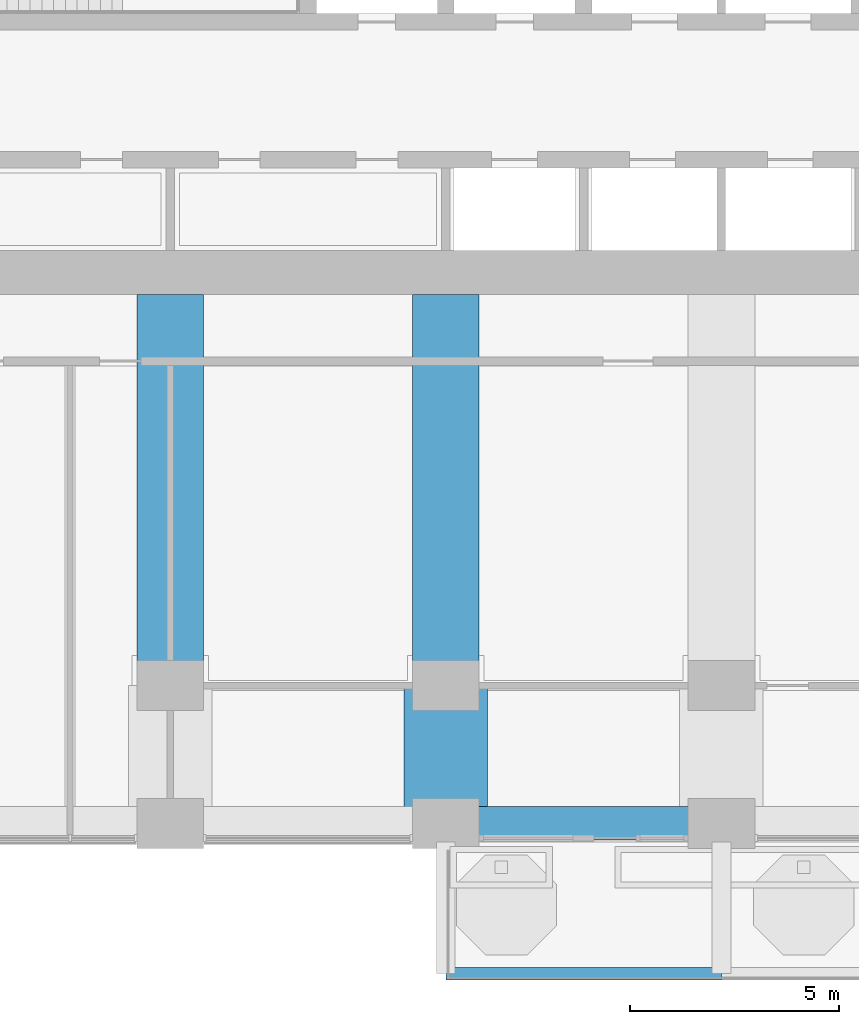
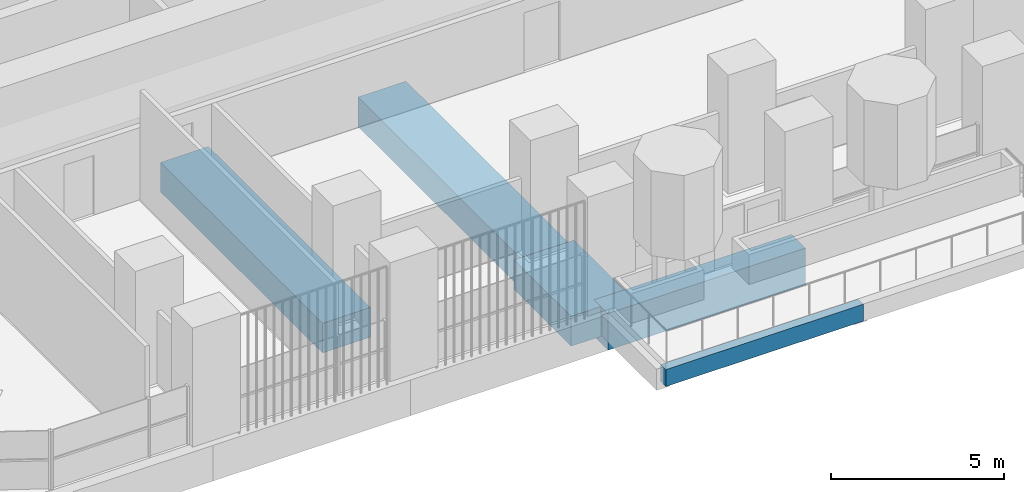
# One storey, part 3 of 22: 5 beams.
"""IFC4 building model written with IfcOpenShell, lengths in metres."""

from ifc_helpers import new_model, si_unit, direction, frame, origin, origin_2d, place, context, subcontext, project, spatial, rectangle, extrude, material, material_profile, profile_set, type_object, element, save


model = new_model("IFC4")

# Units and contexts
model_context = context("Model", 3, precision=1e-05, world=origin(), true_north=direction((0.0, 1.0)))
body_context = subcontext(model_context, "Body", "Model", "MODEL_VIEW")
ifc_project = project(units=[si_unit("LENGTHUNIT", "METRE"), si_unit("AREAUNIT", "SQUARE_METRE"), si_unit("VOLUMEUNIT", "CUBIC_METRE"), si_unit("PLANEANGLEUNIT", "RADIAN"), si_unit("MASSUNIT", "GRAM", prefix="KILO")], contexts=[model_context])

# Site, building, storey
site_placement = place(None, origin())
site = spatial("IfcSite", under=ifc_project, at=site_placement, CompositionType="ELEMENT")
building_placement = place(site_placement, origin())
building = spatial("IfcBuilding", under=site, at=building_placement, Name="Cobogo Forest Laboratory Tower", CompositionType="ELEMENT")
storey_placement = place(building_placement, frame((0.0, 0.0, 145.199951171875)))
storey = spatial("IfcBuildingStorey", under=building, at=storey_placement, Name="L33", CompositionType="ELEMENT", Elevation=145.199951171875)

# Beams
ifc_material_1 = material(Name="Concrete HA-40 (C40/50)", Category="concrete")
ifc_material_profile_1 = material_profile(ifc_material_1, rectangle(XDim=0.300048828125, YDim=0.60009765625, at=origin_2d()), Name="RC 300x600")
ifc_profile_set_1 = profile_set([ifc_material_profile_1], Name="Concrete HA-40 (C40/50)")
beam_type_1 = type_object("IfcBeamType", Name="Balcony edge beam 300x600", PredefinedType="BEAM", material=ifc_profile_set_1)
beam_1_placement = place(storey_placement, frame((26.39990234375, -3.60009765625, -0.550048828125), z_axis=(1.0, 0.0, 0.0), x_axis=(0.0, 1.0, 0.0)))
element("IfcBeam", 1, at=beam_1_placement, inside=storey, type_object=beam_type_1, Name="BB1 BAL-S1-T1 L33", PredefinedType="BEAM", context=body_context, shape_type="SweptSolid", body=[
    extrude(rectangle(XDim=0.300048828125, YDim=0.60009765625, at=origin_2d()), origin(), (0.0, 0.0, 1.0), 6.60009765625),
])
ifc_material_2 = material(Name="Concrete HA-50 (C50/60)", Category="concrete")
ifc_material_profile_2 = material_profile(ifc_material_2, rectangle(XDim=2.0, YDim=1.050048828125, at=origin_2d()), Name="RC 2000x1050")
ifc_profile_set_2 = profile_set([ifc_material_profile_2], Name="Concrete HA-50 (C50/60)")
beam_type_2 = type_object("IfcBeamType", Name="End-bay wide beam 2000x1050", PredefinedType="BEAM", material=ifc_profile_set_2)
beam_2_placement = place(storey_placement, frame((26.39990234375, 0.0, -0.824951171875), z_axis=(0.0, 1.0, 0.0), x_axis=(-1.0, 0.0, 0.0)))
element("IfcBeam", 2, at=beam_2_placement, inside=storey, type_object=beam_type_2, Name="RB7 R-5-S-X L33", PredefinedType="BEAM", context=body_context, shape_type="SweptSolid", body=[
    extrude(rectangle(XDim=2.0, YDim=1.050048828125, at=origin_2d()), origin(), (0.0, 0.0, 1.0), 3.300048828125),
])
ifc_material_profile_3 = material_profile(ifc_material_2, rectangle(XDim=1.60009765625, YDim=1.050048828125, at=origin_2d()), Name="RC 1600x1050")
ifc_profile_set_3 = profile_set([ifc_material_profile_3], Name="Concrete HA-50 (C50/60)")
beam_type_3 = type_object("IfcBeamType", Name="Laboratory floor wide beam 1600x1050", PredefinedType="BEAM", material=ifc_profile_set_3)
for number, where, z_axis, x_axis, name in (
    (3, (19.800048828125, 12.675048828125, -0.824951171875), (0.0, -1.0, 0.0), (1.0, 0.0, 0.0), "RB8 R-4-S L33"),
    (4, (26.39990234375, 12.675048828125, -0.824951171875), (0.0, -1.0, 0.0), (1.0, 0.0, 0.0), "RB8 R-5-S L33"),
):
    element("IfcBeam", number, at=place(storey_placement, frame(where, z_axis=z_axis, x_axis=x_axis)), inside=storey, type_object=beam_type_3, Name=name, PredefinedType="BEAM", context=body_context, shape_type="SweptSolid", body=[
        extrude(rectangle(XDim=1.60009765625, YDim=1.050048828125, at=origin_2d()), origin(), (0.0, 0.0, 1.0), 9.375),
    ])
ifc_material_profile_4 = material_profile(ifc_material_1, rectangle(XDim=0.800048828125, YDim=1.300048828125, at=origin_2d()), Name="RC 800x1300")
ifc_profile_set_4 = profile_set([ifc_material_profile_4], Name="Concrete HA-40 (C40/50)")
beam_type_4 = type_object("IfcBeamType", Name="Perimeter edge beam 800x1300", PredefinedType="BEAM", material=ifc_profile_set_4)
beam_3_placement = place(storey_placement, frame((26.39990234375, 0.0, -0.949951171875), z_axis=(1.0, 0.0, 0.0), x_axis=(0.0, 1.0, 0.0)))
element("IfcBeam", 5, at=beam_3_placement, inside=storey, type_object=beam_type_4, Name="EB2 E-S3 L33", PredefinedType="BEAM", context=body_context, shape_type="SweptSolid", body=[
    extrude(rectangle(XDim=0.800048828125, YDim=1.300048828125, at=origin_2d()), origin(), (0.0, 0.0, 1.0), 6.60009765625),
])

save(model, "model.ifc")
